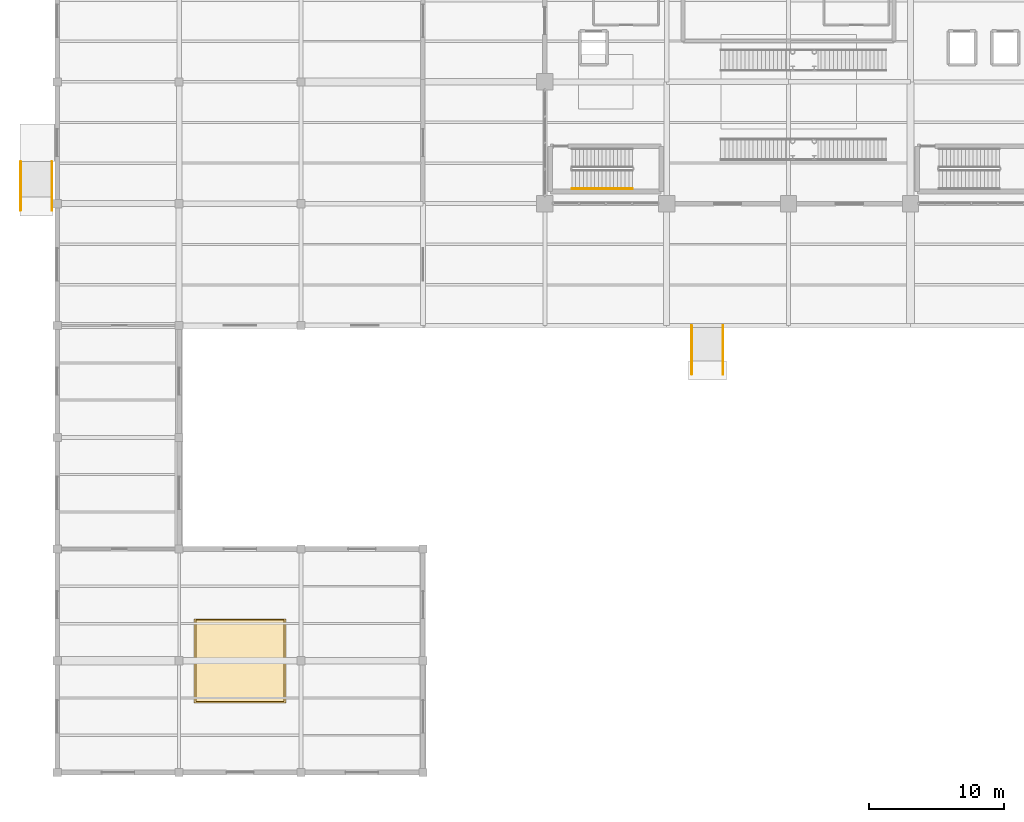
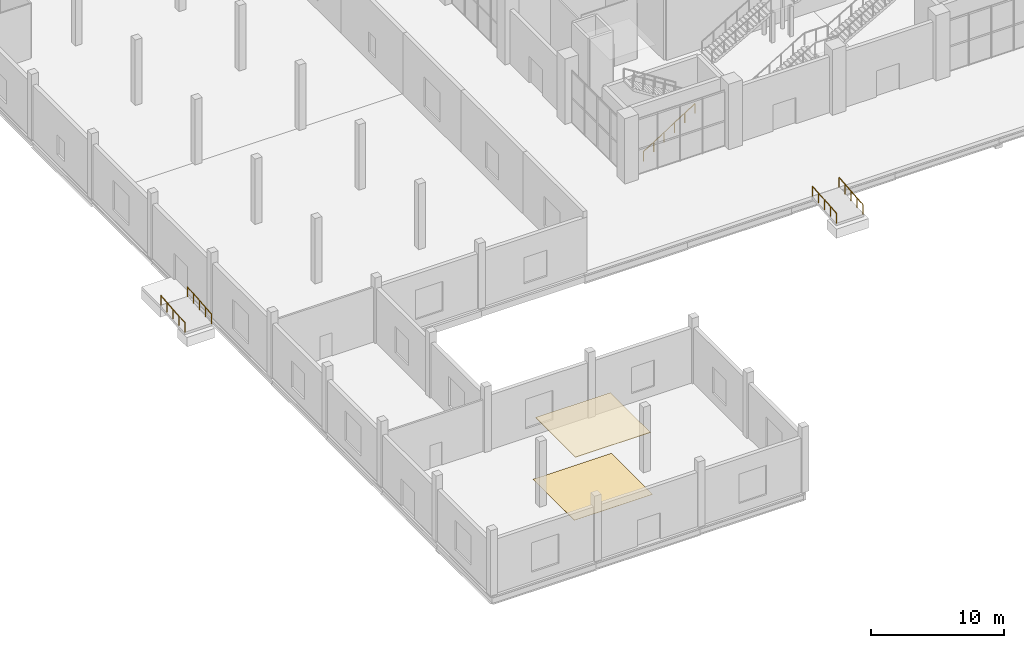
# One storey, part 135 of 144: 5 railings, 2 coverings.
"""IFC4 building model written with IfcOpenShell, lengths in metres."""

from ifc_helpers import new_model, si_unit, direction, frame, origin, origin_2d, place, context, subcontext, project, spatial, rectangle, circle, extrude, material, layer, layer_set, type_object, element, save


model = new_model("IFC4")

# Units and contexts
model_context = context("Model", 3, precision=1e-05, world=origin(), true_north=direction((0.0, 1.0)))
body_context = subcontext(model_context, "Body", "Model", "MODEL_VIEW")
ifc_project = project(units=[si_unit("LENGTHUNIT", "METRE"), si_unit("AREAUNIT", "SQUARE_METRE"), si_unit("VOLUMEUNIT", "CUBIC_METRE"), si_unit("PLANEANGLEUNIT", "RADIAN"), si_unit("MASSUNIT", "GRAM", prefix="KILO")], contexts=[model_context])

# Site, building, storey
site_placement = place(None, origin())
site = spatial("IfcSite", under=ifc_project, at=site_placement, CompositionType="ELEMENT")
building_placement = place(site_placement, origin())
building = spatial("IfcBuilding", under=site, at=building_placement, Name="Sundgate Opera House", CompositionType="ELEMENT")
storey_placement = place(building_placement, origin())
storey = spatial("IfcBuildingStorey", under=building, at=storey_placement, Name="L00", CompositionType="ELEMENT", Elevation=0.0)

# Coverings
ifc_material_1 = material(Name="Perforated European oak acoustic ceiling", Category="wood")
ifc_layer_1 = layer(ifc_material_1, 0.044921875)
ifc_layer_set_1 = layer_set([ifc_layer_1], Name="Perforated European oak acoustic ceiling")
covering_type_1 = type_object("IfcCoveringType", Name="CV-CEIL-OAK", PredefinedType="CEILING", material=ifc_layer_set_1)
covering_1_placement = place(storey_placement, frame((13.5, 8.25, 5.655029296875), z_axis=(0.0, 0.0, 1.0), x_axis=(1.0, 0.0, 0.0)))
element("IfcCovering", 1, at=covering_1_placement, inside=storey, type_object=covering_type_1, Name="L00 Acoustic Ceiling CV0125", PredefinedType="CEILING", context=body_context, shape_type="SweptSolid", body=[
    extrude(rectangle(XDim=6.5, YDim=6.0, at=origin_2d()), origin(), (0.0, 0.0, 1.0), 0.044921875),
])
ifc_material_2 = material(Name="Honed Komstad limestone floor finish", Category="masonry")
ifc_layer_2 = layer(ifc_material_2, 0.02001953125)
ifc_layer_set_2 = layer_set([ifc_layer_2], Name="Honed Komstad limestone floor finish")
covering_type_2 = type_object("IfcCoveringType", Name="CV-FLR-STONE", PredefinedType="FLOORING", material=ifc_layer_set_2)
covering_2_placement = place(storey_placement, frame((13.5, 8.25, 0.0), z_axis=(0.0, 0.0, 1.0), x_axis=(1.0, 0.0, 0.0)))
element("IfcCovering", 2, at=covering_2_placement, inside=storey, type_object=covering_type_2, Name="L00 Floor Finish CV0137", PredefinedType="FLOORING", context=body_context, shape_type="SweptSolid", body=[
    extrude(rectangle(XDim=6.800048828125, YDim=6.199951171875, at=origin_2d()), origin(), (0.0, 0.0, 1.0), 0.02001953125),
])

# Railings
ifc_material_3 = material(Name="Brushed stainless steel handrail", Category="steel")
railing_type = type_object("IfcRailingType", Name="RL-STAIR-HAND-900", PredefinedType="HANDRAIL", material=ifc_material_3)
railing_placement = place(storey_placement, frame((38.0, 43.10009765625, 0.176513671875)))
element("IfcRailing", 3, at=railing_placement, inside=storey, type_object=railing_type, Name="ST01L00 Handrail RL0020", PredefinedType="HANDRAIL", context=body_context, shape_type="SweptSolid", body=[
    extrude(circle(Radius=0.02392578125, at=origin_2d()), frame((0.0, 0.0, 0.8759765625), z_axis=(0.845997938375, 0.0, 0.533186166611), x_axis=(0.0, 1.0, 0.0)), (0.0, 0.0, 1.0), 5.29541015625),
    extrude(circle(Radius=0.02099609375, at=origin_2d()), origin(), (0.0, 0.0, 1.0), 0.851806640625),
    extrude(circle(Radius=0.02099609375, at=origin_2d()), frame((0.89599609375, 0.0, 0.564697265625)), (0.0, 0.0, 1.0), 0.851806640625),
    extrude(circle(Radius=0.02099609375, at=origin_2d()), frame((1.7919921875, 0.0, 1.12939453125)), (0.0, 0.0, 1.0), 0.851806640625),
    extrude(circle(Radius=0.02099609375, at=origin_2d()), frame((2.68798828125, 0.0, 1.694091796875)), (0.0, 0.0, 1.0), 0.851806640625),
    extrude(circle(Radius=0.02099609375, at=origin_2d()), frame((3.583984375, 0.0, 2.2587890625)), (0.0, 0.0, 1.0), 0.851806640625),
    extrude(circle(Radius=0.02099609375, at=origin_2d()), frame((4.47998046875, 0.0, 2.823486328125)), (0.0, 0.0, 1.0), 0.851806640625),
])
for number, where, name in (
    (4, (49.14990234375, 29.39990234375, -0.300048828125), "RP02 Handrail RL0323"),
    (5, (46.85009765625, 29.39990234375, -0.300048828125), "RP02 Handrail RL0324"),
    (6, (-0.39990234375, 41.5, -0.300048828125), "RP04 Handrail RL0327"),
    (7, (-2.699951171875, 41.5, -0.300048828125), "RP04 Handrail RL0328"),
):
    element("IfcRailing", number, at=place(storey_placement, frame(where)), inside=storey, type_object=railing_type, Name=name, PredefinedType="HANDRAIL", context=body_context, shape_type="SweptSolid", body=[
        extrude(circle(Radius=0.02392578125, at=origin_2d()), frame((0.0, 0.0, 0.8759765625), z_axis=(0.0, 0.996544826035, 0.083056665618), x_axis=(-1.0, 0.0, 0.0)), (0.0, 0.0, 1.0), 3.612548828125),
        extrude(circle(Radius=0.02099609375, at=origin_2d()), origin(), (0.0, 0.0, 1.0), 0.851806640625),
        extrude(circle(Radius=0.02099609375, at=origin_2d()), frame((0.0, 0.89990234375, 0.074951171875)), (0.0, 0.0, 1.0), 0.851806640625),
        extrude(circle(Radius=0.02099609375, at=origin_2d()), frame((0.0, 1.800048828125, 0.14990234375)), (0.0, 0.0, 1.0), 0.851806640625),
        extrude(circle(Radius=0.02099609375, at=origin_2d()), frame((0.0, 2.7001953125, 0.22509765625)), (0.0, 0.0, 1.0), 0.851806640625),
        extrude(circle(Radius=0.02099609375, at=origin_2d()), frame((0.0, 3.60009765625, 0.300048828125)), (0.0, 0.0, 1.0), 0.851806640625),
    ])

save(model, "model.ifc")
